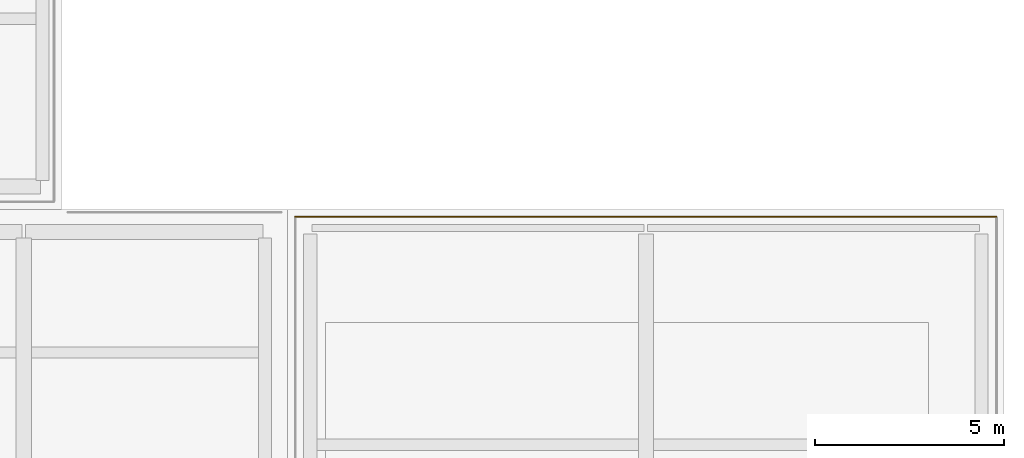
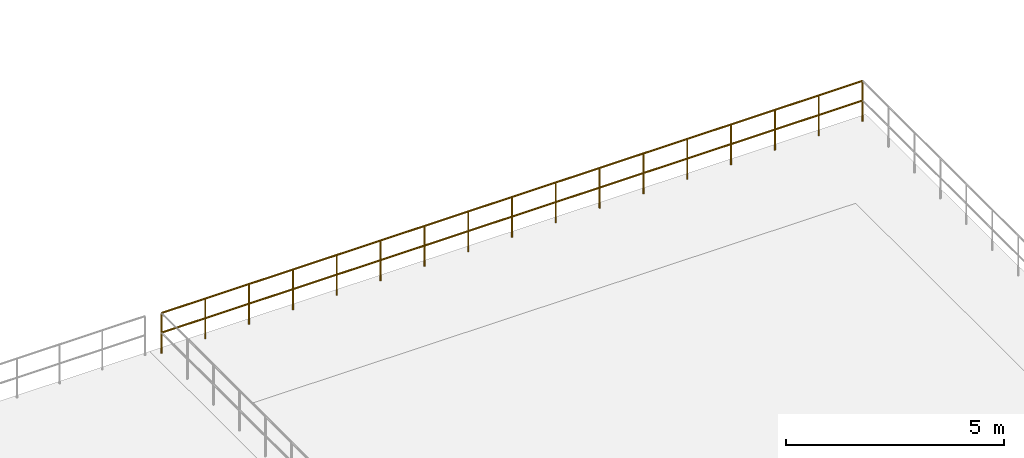
# One storey, part 111 of 111: 1 railing.
"""IFC4 building model written with IfcOpenShell, lengths in metres."""

from ifc_helpers import new_model, si_unit, direction, frame, origin, origin_2d, place, context, subcontext, project, spatial, circle, extrude, material, layer, layer_set, type_object, element, save


model = new_model("IFC4")

# Units and contexts
model_context = context("Model", 3, precision=1e-05, world=origin(), true_north=direction((0.0, 1.0)))
body_context = subcontext(model_context, "Body", "Model", "MODEL_VIEW")
ifc_project = project(units=[si_unit("LENGTHUNIT", "METRE"), si_unit("AREAUNIT", "SQUARE_METRE"), si_unit("VOLUMEUNIT", "CUBIC_METRE"), si_unit("PLANEANGLEUNIT", "RADIAN"), si_unit("MASSUNIT", "GRAM", prefix="KILO")], contexts=[model_context])

# Site, building, storey
site_placement = place(None, origin())
site = spatial("IfcSite", under=ifc_project, at=site_placement, CompositionType="ELEMENT")
building_placement = place(site_placement, origin())
building = spatial("IfcBuilding", under=site, at=building_placement, Name="Candeia Ridge Stadium", CompositionType="ELEMENT")
storey_placement = place(building_placement, frame((0.0, 0.0, 16.199951171875)))
storey = spatial("IfcBuildingStorey", under=building, at=storey_placement, Name="L03", CompositionType="ELEMENT", Elevation=16.199951171875)

# Railing
ifc_material = material(Name="Laminated Glass & Stainless Steel", Category="steel")
ifc_layer = layer(ifc_material, 0.080078125, Name="Laminated Glass & Stainless Steel", Category="steel")
ifc_layer_set = layer_set([ifc_layer], Name="Laminated Glass & Stainless Steel")
railing_type = type_object("IfcRailingType", Name="Planted Terrace Glass-Steel Guard 1150", PredefinedType="BALUSTRADE", material=ifc_layer_set)
railing_placement = place(storey_placement, frame((211.800048828125, 146.800048828125, 0.0)))
element("IfcRailing", 1, at=railing_placement, inside=storey, type_object=railing_type, Name="Terrace perimeter balustrade GR-TER-183", PredefinedType="BALUSTRADE", context=body_context, shape_type="SweptSolid", body=[
    extrude(circle(Radius=0.02392578125, at=origin_2d()), frame((0.0, 0.0, 1.1259765625), z_axis=(-1.0, 0.0, 0.0), x_axis=(0.0, -1.0, 0.0)), (0.0, 0.0, 1.0), 18.60009765625),
    extrude(circle(Radius=0.02392578125, at=origin_2d()), frame((0.0, 0.0, 0.574951171875), z_axis=(-1.0, 0.0, 0.0), x_axis=(0.0, -1.0, 0.0)), (0.0, 0.0, 1.0), 18.60009765625),
    extrude(circle(Radius=0.02099609375, at=origin_2d()), origin(), (0.0, 0.0, 1.0), 1.101806640625),
    extrude(circle(Radius=0.02099609375, at=origin_2d()), frame((-1.16259765625, 0.0, 0.0)), (0.0, 0.0, 1.0), 1.101806640625),
    extrude(circle(Radius=0.02099609375, at=origin_2d()), frame((-2.324951171875, 0.0, 0.0)), (0.0, 0.0, 1.0), 1.101806640625),
    extrude(circle(Radius=0.02099609375, at=origin_2d()), frame((-3.487548828125, 0.0, 0.0)), (0.0, 0.0, 1.0), 1.101806640625),
    extrude(circle(Radius=0.02099609375, at=origin_2d()), frame((-4.64990234375, 0.0, 0.0)), (0.0, 0.0, 1.0), 1.101806640625),
    extrude(circle(Radius=0.02099609375, at=origin_2d()), frame((-5.8125, 0.0, 0.0)), (0.0, 0.0, 1.0), 1.101806640625),
    extrude(circle(Radius=0.02099609375, at=origin_2d()), frame((-6.97509765625, 0.0, 0.0)), (0.0, 0.0, 1.0), 1.101806640625),
    extrude(circle(Radius=0.02099609375, at=origin_2d()), frame((-8.137451171875, 0.0, 0.0)), (0.0, 0.0, 1.0), 1.101806640625),
    extrude(circle(Radius=0.02099609375, at=origin_2d()), frame((-9.300048828125, 0.0, 0.0)), (0.0, 0.0, 1.0), 1.101806640625),
    extrude(circle(Radius=0.02099609375, at=origin_2d()), frame((-10.462646484375, 0.0, 0.0)), (0.0, 0.0, 1.0), 1.101806640625),
    extrude(circle(Radius=0.02099609375, at=origin_2d()), frame((-11.625, 0.0, 0.0)), (0.0, 0.0, 1.0), 1.101806640625),
    extrude(circle(Radius=0.02099609375, at=origin_2d()), frame((-12.78759765625, 0.0, 0.0)), (0.0, 0.0, 1.0), 1.101806640625),
    extrude(circle(Radius=0.02099609375, at=origin_2d()), frame((-13.9501953125, 0.0, 0.0)), (0.0, 0.0, 1.0), 1.101806640625),
    extrude(circle(Radius=0.02099609375, at=origin_2d()), frame((-15.112548828125, 0.0, 0.0)), (0.0, 0.0, 1.0), 1.101806640625),
    extrude(circle(Radius=0.02099609375, at=origin_2d()), frame((-16.275146484375, 0.0, 0.0)), (0.0, 0.0, 1.0), 1.101806640625),
    extrude(circle(Radius=0.02099609375, at=origin_2d()), frame((-17.4375, 0.0, 0.0)), (0.0, 0.0, 1.0), 1.101806640625),
    extrude(circle(Radius=0.02099609375, at=origin_2d()), frame((-18.60009765625, 0.0, 0.0)), (0.0, 0.0, 1.0), 1.101806640625),
])

save(model, "model.ifc")
